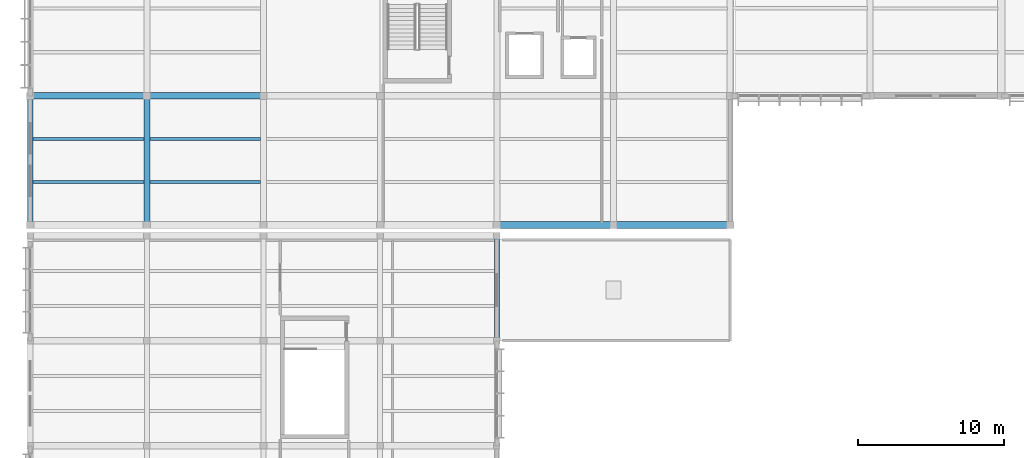
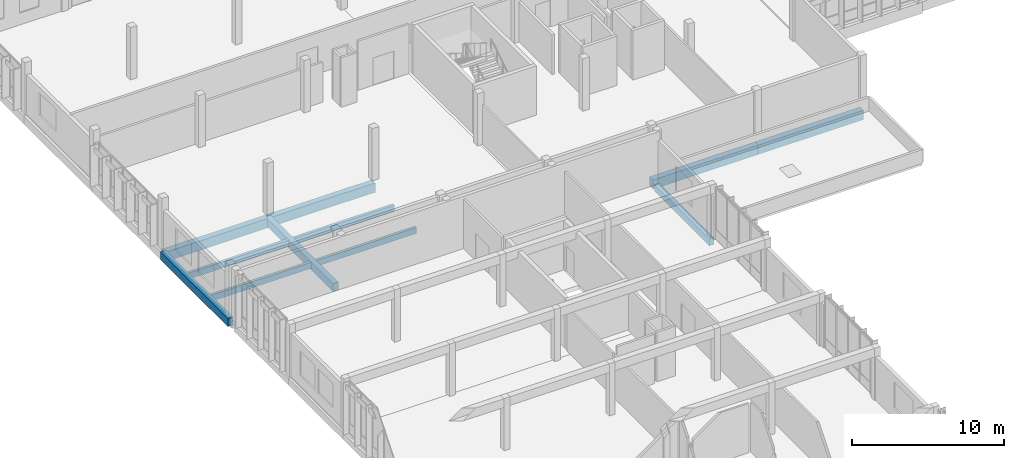
# One storey, part 32 of 107: 11 beams.
"""IFC4 building model written with IfcOpenShell, lengths in metres."""

from ifc_helpers import new_model, si_unit, direction, frame, origin, origin_2d, place, context, subcontext, project, spatial, rectangle, extrude, material, material_profile, profile_set, type_object, element, save


model = new_model("IFC4")

# Units and contexts
model_context = context("Model", 3, precision=1e-05, world=origin(), true_north=direction((0.0, 1.0)))
body_context = subcontext(model_context, "Body", "Model", "MODEL_VIEW")
ifc_project = project(units=[si_unit("LENGTHUNIT", "METRE"), si_unit("AREAUNIT", "SQUARE_METRE"), si_unit("VOLUMEUNIT", "CUBIC_METRE"), si_unit("PLANEANGLEUNIT", "RADIAN"), si_unit("MASSUNIT", "GRAM", prefix="KILO")], contexts=[model_context])

# Site, building, storey
site_placement = place(None, origin())
site = spatial("IfcSite", under=ifc_project, at=site_placement, CompositionType="ELEMENT")
building_placement = place(site_placement, origin())
building = spatial("IfcBuilding", under=site, at=building_placement, Name="Chiffa Square Polytechnic", CompositionType="ELEMENT")
storey_placement = place(building_placement, frame((0.0, 0.0, 13.800048828125)))
storey = spatial("IfcBuildingStorey", under=building, at=storey_placement, Name="L03", CompositionType="ELEMENT", Elevation=13.800048828125)

# Beams
ifc_material_1 = material(Name="Concrete C35/45", Category="concrete")
ifc_material_profile_1 = material_profile(ifc_material_1, rectangle(XDim=0.35009765625, YDim=0.550048828125, at=origin_2d()), Name="RC 350x550")
ifc_profile_set_1 = profile_set([ifc_material_profile_1], Name="Concrete C35/45")
beam_type_1 = type_object("IfcBeamType", Name="BM-RC-350X550", PredefinedType="BEAM", material=ifc_profile_set_1)
beam_placement = place(storey_placement, frame((32.0, 87.0, -0.53515625), z_axis=(0.0, 1.0, 0.0), x_axis=(-1.0, 0.0, 0.0)))
element("IfcBeam", 1, at=beam_placement, inside=storey, type_object=beam_type_1, Name="Primary floor girder BM-V6-L03-Y-0320-0870", PredefinedType="BEAM", context=body_context, shape_type="SweptSolid", body=[
    extrude(rectangle(XDim=0.35009765625, YDim=0.550048828125, at=origin_2d()), origin(), (0.0, 0.0, 1.0), 7.199951171875),
])
ifc_material_profile_2 = material_profile(ifc_material_1, rectangle(XDim=0.39990234375, YDim=0.64990234375, at=origin_2d()), Name="RC 400x650")
ifc_profile_set_2 = profile_set([ifc_material_profile_2], Name="Concrete C35/45")
beam_type_2 = type_object("IfcBeamType", Name="BM-RC-400X650", PredefinedType="BEAM", material=ifc_profile_set_2)
for number, where, z_axis, x_axis, name in (
    (2, (0.0, 94.949951171875, -0.5849609375), (0.0, 1.0, 0.0), (-1.0, 0.0, 0.0), "Primary floor girder BM-V5-L03-Y-0000-0950"),
    (3, (8.0, 94.949951171875, -0.5849609375), (0.0, 1.0, 0.0), (-1.0, 0.0, 0.0), "Primary floor girder BM-V5-L03-Y-0080-0950"),
):
    element("IfcBeam", number, at=place(storey_placement, frame(where, z_axis=z_axis, x_axis=x_axis)), inside=storey, type_object=beam_type_2, Name=name, PredefinedType="BEAM", context=body_context, shape_type="SweptSolid", body=[
        extrude(rectangle(XDim=0.39990234375, YDim=0.64990234375, at=origin_2d()), origin(), (0.0, 0.0, 1.0), 8.85009765625),
    ])
ifc_material_profile_3 = material_profile(ifc_material_1, rectangle(XDim=0.449951171875, YDim=0.75, at=origin_2d()), Name="RC 450x750")
ifc_profile_set_3 = profile_set([ifc_material_profile_3], Name="Concrete C35/45")
beam_type_3 = type_object("IfcBeamType", Name="BM-RC-450X750", PredefinedType="BEAM", material=ifc_profile_set_3)
for number, where, z_axis, x_axis, name in (
    (4, (32.0, 94.949951171875, -0.635009765625), (1.0, 0.0, 0.0), (0.0, 1.0, 0.0), "Primary floor girder BM-V5-L03-X-0320-0950"),
    (5, (40.0, 94.949951171875, -0.635009765625), (1.0, 0.0, 0.0), (0.0, 1.0, 0.0), "Primary floor girder BM-V5-L03-X-0400-0950"),
    (6, (0.0, 103.800048828125, -0.635009765625), (1.0, 0.0, 0.0), (0.0, 1.0, 0.0), "Primary floor girder BM-V5-L03-X-0000-1038"),
    (7, (8.0, 103.800048828125, -0.635009765625), (1.0, 0.0, 0.0), (0.0, 1.0, 0.0), "Primary floor girder BM-V5-L03-X-0080-1038"),
):
    element("IfcBeam", number, at=place(storey_placement, frame(where, z_axis=z_axis, x_axis=x_axis)), inside=storey, type_object=beam_type_3, Name=name, PredefinedType="BEAM", context=body_context, shape_type="SweptSolid", body=[
        extrude(rectangle(XDim=0.449951171875, YDim=0.75, at=origin_2d()), origin(), (0.0, 0.0, 1.0), 8.0),
    ])
ifc_material_2 = material(Name="Glulam GL28h", Category="wood")
ifc_material_profile_4 = material_profile(ifc_material_2, rectangle(XDim=0.219970703125, YDim=0.47998046875, at=origin_2d()), Name="GL28h 220x480")
ifc_profile_set_4 = profile_set([ifc_material_profile_4], Name="Glulam GL28h")
beam_type_4 = type_object("IfcBeamType", Name="JST-GL-220X480", PredefinedType="JOIST", material=ifc_profile_set_4)
for number, where, z_axis, x_axis, name in (
    (8, (0.197998046875, 97.89990234375, -0.5), (1.0, 0.0, 0.0), (0.0, 1.0, 0.0), "Secondary floor joist JST-V5-L03-0000-0979"),
    (9, (0.197998046875, 100.85009765625, -0.5), (1.0, 0.0, 0.0), (0.0, 1.0, 0.0), "Secondary floor joist JST-V5-L03-0000-1008"),
    (10, (8.197998046875, 97.89990234375, -0.5), (1.0, 0.0, 0.0), (0.0, 1.0, 0.0), "Secondary floor joist JST-V5-L03-0080-0979"),
    (11, (8.197998046875, 100.85009765625, -0.5), (1.0, 0.0, 0.0), (0.0, 1.0, 0.0), "Secondary floor joist JST-V5-L03-0080-1008"),
):
    element("IfcBeam", number, at=place(storey_placement, frame(where, z_axis=z_axis, x_axis=x_axis)), inside=storey, type_object=beam_type_4, Name=name, PredefinedType="JOIST", context=body_context, shape_type="SweptSolid", body=[
        extrude(rectangle(XDim=0.219970703125, YDim=0.47998046875, at=origin_2d()), origin(), (0.0, 0.0, 1.0), 7.60400390625),
    ])

save(model, "model.ifc")
